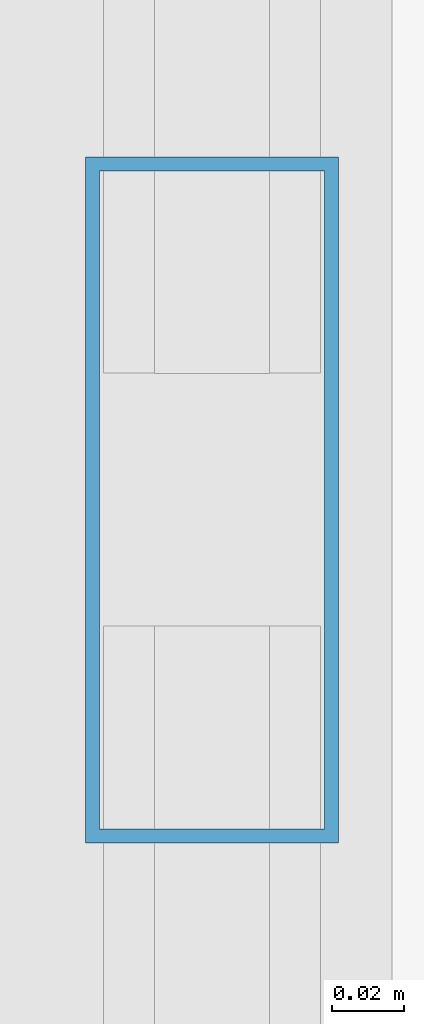
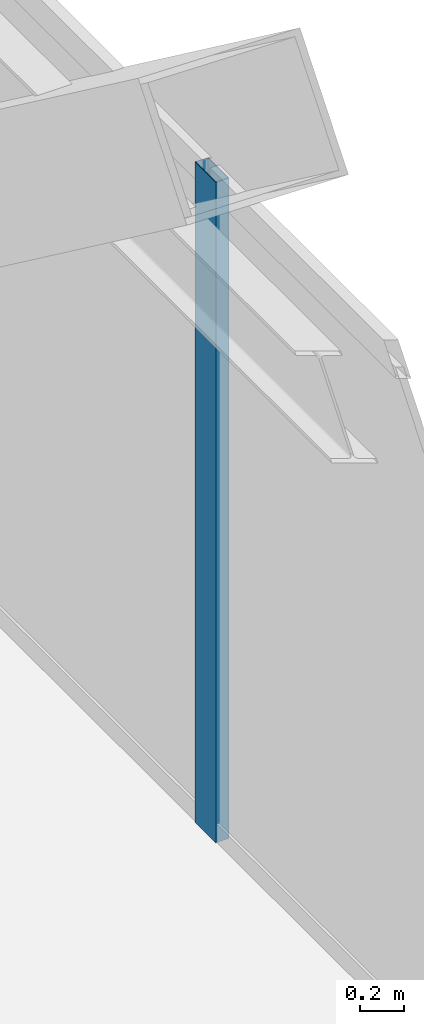
# One storey, part 19 of 32: 1 member, 1 element without a shape of its own.
"""IFC4 building model written with IfcOpenShell, lengths in metres."""

from ifc_helpers import new_model, si_unit, direction, frame, origin, origin_2d, place, context, subcontext, project, spatial, hollow_rectangle, extrude, source, transform, mapped, material, layer, layer_set, material_profile, profile_set, type_object, type_shapes, element, aggregate, save


model = new_model("IFC4")

# Units and contexts
model_context = context("Model", 3, precision=1e-05, world=origin(), true_north=direction((0.0, 1.0)))
body_context = subcontext(model_context, "Body", "Model", "MODEL_VIEW")
ifc_project = project(units=[si_unit("LENGTHUNIT", "METRE"), si_unit("AREAUNIT", "SQUARE_METRE"), si_unit("VOLUMEUNIT", "CUBIC_METRE"), si_unit("PLANEANGLEUNIT", "RADIAN"), si_unit("MASSUNIT", "GRAM", prefix="KILO")], contexts=[model_context])

# Site, building, storey
site_placement = place(None, origin())
site = spatial("IfcSite", under=ifc_project, at=site_placement, CompositionType="ELEMENT")
building_placement = place(site_placement, origin())
building = spatial("IfcBuilding", under=site, at=building_placement, Name="Varnel Quay Broadcast Tower", CompositionType="ELEMENT")
storey_placement = place(building_placement, frame((0.0, 0.0, 43.199951171875)))
storey = spatial("IfcBuildingStorey", under=building, at=storey_placement, Name="L09", CompositionType="ELEMENT", Elevation=43.199951171875)

# Curtain wall, member
ifc_material = material(Name="Anodised Bronze Aluminium 6063-T6", Category="aluminium")
ifc_layer = layer(ifc_material, 0.18994140625, Name="Anodised Bronze Aluminium 6063-T6")
ifc_layer_set = layer_set([ifc_layer], Name="Anodised Bronze Aluminium 6063-T6")
curtain_wall_type = type_object("IfcCurtainWallType", Name="CW_LowerTower", PredefinedType="NOTDEFINED", material=ifc_layer_set)
curtain_wall_placement = place(storey_placement, origin())
curtain_wall = element("IfcCurtainWall", 1, at=curtain_wall_placement, inside=storey, type_object=curtain_wall_type, Name="L09 East Unitised Curtain Wall", PredefinedType="NOTDEFINED")
ifc_material_profile = material_profile(ifc_material, hollow_rectangle(XDim=0.070068359375, YDim=0.18994140625, WallThickness=0.00390625, at=origin_2d()), Name="ALU70X190X4")
ifc_profile_set = profile_set([ifc_material_profile], Name="Anodised Bronze Aluminium 6063-T6")
member_type = type_object("IfcMemberType", Name="Mull_CWS-02", PredefinedType="MULLION", material=ifc_profile_set)
shared_shape = source(origin(), body_context, "Body", "SweptSolid", [
    extrude(hollow_rectangle(XDim=0.070068359375, YDim=0.18994140625, WallThickness=0.00390625, at=origin_2d()), origin(), (0.0, 0.0, 1.0), 3.650146484375),
])
type_shapes(member_type, [shared_shape])
member_placement = place(storey_placement, frame((65.85009765625, 30.39990234375, 0.0), z_axis=(0.0, 0.0, 1.0), x_axis=(-1.0, 0.0, 0.0)))
member = element("IfcMember", 2, at=member_placement, type_object=member_type, Name="CWS-02 mullion 3", PredefinedType="MULLION", context=body_context, shape_type="MappedRepresentation", body=[
    mapped(shared_shape, transform((0.0, 0.0, 0.0), x_axis=(1.0, 0.0, 0.0), y_axis=(0.0, 1.0, 0.0), z_axis=(0.0, 0.0, 1.0), scale=1.0)),
])
aggregate(curtain_wall, [member])

save(model, "model.ifc")
